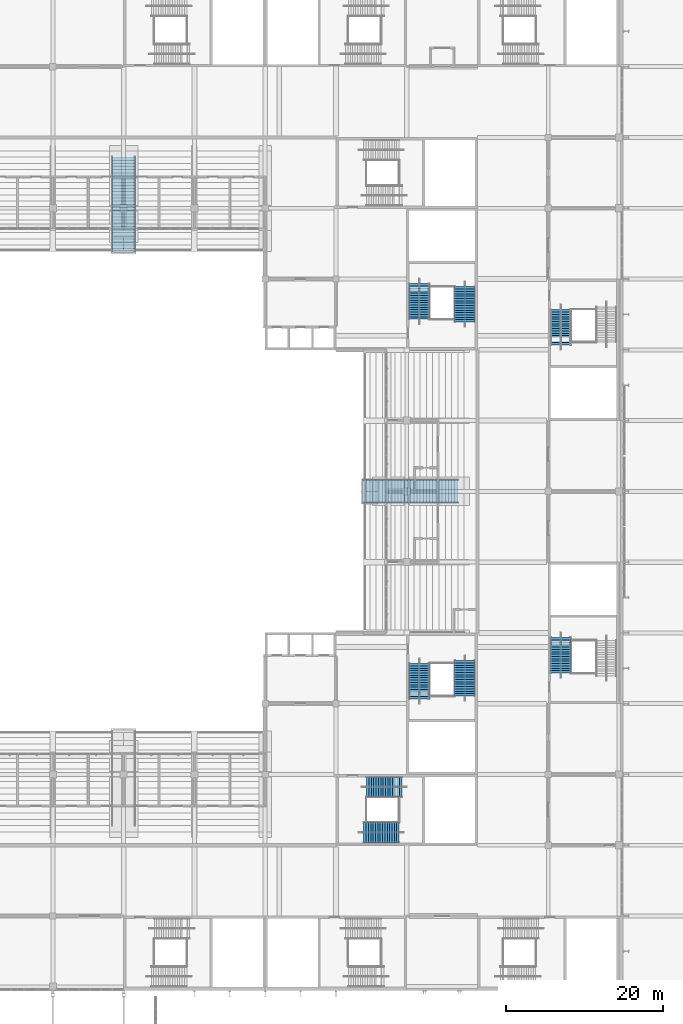
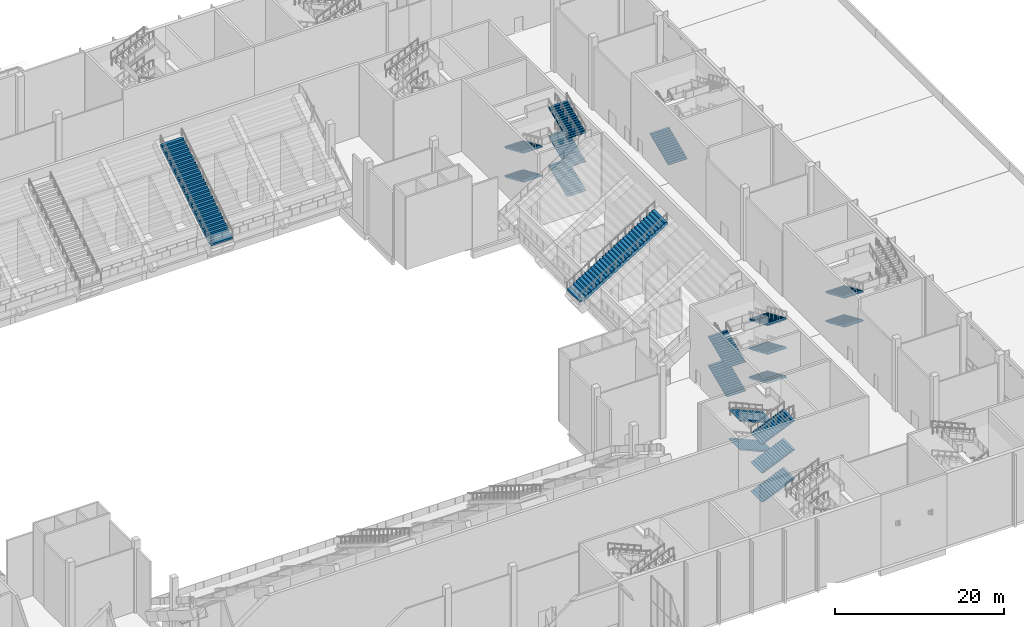
# One storey, part 99 of 182: 20 stair flights, 7 elements without a shape of their own.
"""IFC4 building model written with IfcOpenShell, lengths in metres."""

import ifcopenshell
import ifcopenshell.guid

model = None  # the IFC model being written
_history = None  # IfcOwnerHistory: only IFC2X3 demands one
_inside = {}  # id of a spatial element -> (the spatial element, [elements in it])
_under = {}  # id of a project, library or spatial element -> (it, [spatial elements below it])
_declared = {}  # id of a project -> (the project, [libraries it declares])
_typed = {}  # id of a type object -> (the type object, [elements of that type])
_made_of = {}  # id of a material, layer set ... -> (it, [elements and type objects made of it])


def new_model(schema):
    """Start an empty IFC model of exactly this schema.

    Asked for "IFC4X3", IfcOpenShell would pick the latest addendum, in which some entities
    have other attributes; the version numbers below select the first issue.
    IFC2X3 requires an IfcOwnerHistory on every rooted entity: one is made here for all.
    """
    global model, _history
    if schema == "IFC4X3":
        model = ifcopenshell.file(schema_version=(4, 3, 0, 0))
    else:
        model = ifcopenshell.file(schema=schema)
    _inside.clear()
    _under.clear()
    _declared.clear()
    _typed.clear()
    _made_of.clear()
    _history = None
    if model.schema == "IFC2X3":
        org = make("IfcOrganization", Name="unknown")
        user = make(
            "IfcPersonAndOrganization",
            ThePerson=make("IfcPerson", FamilyName="unknown"),
            TheOrganization=org,
        )
        app = make(
            "IfcApplication",
            ApplicationDeveloper=org,
            Version="unknown",
            ApplicationFullName="unknown",
            ApplicationIdentifier="unknown",
        )
        _history = make(
            "IfcOwnerHistory",
            OwningUser=user,
            OwningApplication=app,
            ChangeAction="ADDED",
            CreationDate=0,
        )
    return model


def make(cls, **values):
    """One entity of the class cls with the attributes given. An attribute that is None is left unset."""
    return model.create_entity(
        cls, **{name: value for name, value in values.items() if value is not None}
    )


def rooted(cls, **values):
    """An entity with a GlobalId (a new one), such as an element, a storey or a relation."""
    return make(cls, GlobalId=ifcopenshell.guid.new(), OwnerHistory=_history, **values)


def si_unit(unit_type, name, prefix=None):
    """IfcSIUnit, for example si_unit("LENGTHUNIT", "METRE", prefix="MILLI")."""
    return make("IfcSIUnit", UnitType=unit_type, Prefix=prefix, Name=name)


def assignment(units):
    """IfcUnitAssignment: the units of a project."""
    return None if units is None else make("IfcUnitAssignment", Units=units)


def point(xyz):
    """IfcCartesianPoint."""
    return None if xyz is None else make("IfcCartesianPoint", Coordinates=xyz)


def direction(xyz):
    """IfcDirection."""
    return None if xyz is None else make("IfcDirection", DirectionRatios=xyz)


def frame(location, z_axis=None, x_axis=None):
    """IfcAxis2Placement3D, a coordinate frame: its origin and axes. An axis left out is left unset."""
    return make(
        "IfcAxis2Placement3D",
        Location=point(location),
        Axis=direction(z_axis),
        RefDirection=direction(x_axis),
    )


def origin():
    """The frame at (0, 0, 0) with its axes left unset."""
    return frame((0.0, 0.0, 0.0))


def place(relative_to, where):
    """IfcLocalPlacement: puts the frame where relative to a parent placement (None: the world)."""
    return make(
        "IfcLocalPlacement", PlacementRelTo=relative_to, RelativePlacement=where
    )


def context(
    kind, dimensions, precision=None, world=None, true_north=None, identifier=None
):
    """IfcGeometricRepresentationContext, for example the 3D "Model" context."""
    return make(
        "IfcGeometricRepresentationContext",
        ContextIdentifier=identifier,
        ContextType=kind,
        CoordinateSpaceDimension=dimensions,
        Precision=precision,
        WorldCoordinateSystem=world,
        TrueNorth=true_north,
    )


def subcontext(parent, identifier, kind, view, scale=None):
    """IfcGeometricRepresentationSubContext, for example "Body" below "Model"."""
    return make(
        "IfcGeometricRepresentationSubContext",
        ContextIdentifier=identifier,
        ContextType=kind,
        ParentContext=parent,
        TargetScale=scale,
        TargetView=view,
    )


def project(units=None, contexts=None):
    """IfcProject with its units and contexts."""
    return rooted(
        "IfcProject",
        Name="project",
        RepresentationContexts=contexts,
        UnitsInContext=assignment(units),
    )


def spatial(cls, under=None, at=None, **own):
    """A site, building, storey or space (cls), placed at a placement, below another one or the project."""
    s = rooted(cls, ObjectPlacement=at, **own)
    if under is not None:
        _under.setdefault(under.id(), (under, []))[1].append(s)
    return s


def polyline(points):
    """IfcPolyline through the points."""
    return make("IfcPolyline", Points=[point(p) for p in points])


def outline(outer, holes=None, kind="AREA"):
    """IfcArbitraryClosedProfileDef: a profile drawn as a closed curve; with holes, ...WithVoids."""
    if holes is None:
        return make("IfcArbitraryClosedProfileDef", ProfileType=kind, OuterCurve=outer)
    return make(
        "IfcArbitraryProfileDefWithVoids",
        ProfileType=kind,
        OuterCurve=outer,
        InnerCurves=holes,
    )


def extrude(swept, where, along, depth):
    """IfcExtrudedAreaSolid: the profile swept, set in the frame where, extruded along a direction by depth."""
    return make(
        "IfcExtrudedAreaSolid",
        SweptArea=swept,
        Position=where,
        ExtrudedDirection=direction(along),
        Depth=depth,
    )


def shape(context_of_items, identifier, shape_type, items):
    """IfcShapeRepresentation: the items that make up one representation, for example the "Body"."""
    return make(
        "IfcShapeRepresentation",
        ContextOfItems=context_of_items,
        RepresentationIdentifier=identifier,
        RepresentationType=shape_type,
        Items=items,
    )


def material(Name=None, Category=None):
    """IfcMaterial."""
    return make("IfcMaterial", Name=Name, Category=Category)


def made_of(thing, what):
    """Note that an element or type object is made of a material, layer set ...; save() writes the relation."""
    if what is not None:
        _made_of.setdefault(what.id(), (what, []))[1].append(thing)
    return thing


def type_object(cls, material=None, **own):
    """A type object (cls), such as IfcWallType, which elements share."""
    return made_of(rooted(cls, **own), material)


def element(
    cls,
    number,
    at=None,
    inside=None,
    cuts=None,
    type_object=None,
    material=None,
    context=None,
    identifier="Body",
    shape_type=None,
    held_by="IfcProductDefinitionShape",
    body=None,
    shapes=None,
    **own,
):
    """One element of the class cls, such as IfcWall. Its Tag is "e" and its number.

    at: its placement. inside: the storey or other place that contains it. cuts: it is an
    opening in that element (IfcRelVoidsElement). A single representation is given by context,
    identifier, shape_type and body (its items); several are given by shapes. held_by: the class
    of the entity that holds the representations. save() writes the other relations.
    """
    e = rooted(cls, Tag="e%d" % number, ObjectPlacement=at, **own)
    if body is not None:
        shapes = [shape(context, identifier, shape_type, body)]
    if shapes is not None:
        e.Representation = make(held_by, Representations=shapes)
    if inside is not None:
        _inside.setdefault(inside.id(), (inside, []))[1].append(e)
    if cuts is not None:
        rooted(
            "IfcRelVoidsElement", RelatingBuildingElement=cuts, RelatedOpeningElement=e
        )
    if type_object is not None:
        _typed.setdefault(type_object.id(), (type_object, []))[1].append(e)
    return made_of(e, material)


def aggregate(whole, parts):
    """IfcRelAggregates: a whole, such as a stair, and the parts it consists of."""
    return rooted("IfcRelAggregates", RelatingObject=whole, RelatedObjects=parts)


def save(model, path):
    """Write the relations noted so far, then the file.

    IfcRelAggregates (storeys below a building ...), IfcRelContainedInSpatialStructure (elements
    in a storey), IfcRelDefinesByType, IfcRelAssociatesMaterial and IfcRelDeclares: one each for
    every whole, place, type object, material and project.
    """
    for whole, parts in _under.values():
        aggregate(whole, parts)
    for where, things in _inside.values():
        rooted(
            "IfcRelContainedInSpatialStructure",
            RelatedElements=things,
            RelatingStructure=where,
        )
    for kind, things in _typed.values():
        rooted("IfcRelDefinesByType", RelatedObjects=things, RelatingType=kind)
    for what, things in _made_of.values():
        rooted("IfcRelAssociatesMaterial", RelatedObjects=things, RelatingMaterial=what)
    for by, libraries in _declared.values():
        rooted("IfcRelDeclares", RelatingContext=by, RelatedDefinitions=libraries)
    model.write(path)


model = new_model("IFC4")

# Units and contexts
model_context = context("Model", 3, precision=1e-05, world=origin(), true_north=direction((0.0, 1.0)))
body_context = subcontext(model_context, "Body", "Model", "MODEL_VIEW")
ifc_project = project(units=[si_unit("LENGTHUNIT", "METRE"), si_unit("AREAUNIT", "SQUARE_METRE"), si_unit("VOLUMEUNIT", "CUBIC_METRE"), si_unit("PLANEANGLEUNIT", "RADIAN"), si_unit("MASSUNIT", "GRAM", prefix="KILO")], contexts=[model_context])

# Site, building, storey
site_placement = place(None, origin())
site = spatial("IfcSite", under=ifc_project, at=site_placement, CompositionType="ELEMENT")
building_placement = place(site_placement, origin())
building = spatial("IfcBuilding", under=site, at=building_placement, Name="Silverbay Arena", CompositionType="ELEMENT")
storey_placement = place(building_placement, frame((0.0, 0.0, 11.5)))
storey = spatial("IfcBuildingStorey", under=building, at=storey_placement, Name="L02", CompositionType="ELEMENT", Elevation=11.5)

# Stair, stair flights
ifc_material_1 = material(Name="Concrete Grade C45", Category="concrete")
stair_type_1 = type_object("IfcStairType", Name="Stair 2600 wide 80 risers 131.2 x 300", PredefinedType="HALF_TURN_STAIR", material=ifc_material_1)
stair_1_placement = place(storey_placement, origin())
stair_1 = element("IfcStair", 1, at=stair_1_placement, inside=storey, type_object=stair_type_1, Name="Stair ST-E1 L02 to L03", PredefinedType="HALF_TURN_STAIR")
ifc_material_2 = material(Name="Concrete Grade C45", Category="concrete")
stair_flight_type_1 = type_object("IfcStairFlightType", Name="Stair flight 2600 wide 16 risers 131.2 x 300", PredefinedType="STRAIGHT", material=ifc_material_2)
stair_flight_1_placement = place(storey_placement, frame((199.60009765625, 62.39990234375, 2.10009765625), z_axis=(0.0, 0.0, 1.0), x_axis=(0.0, -1.0, 0.0)))
stair_flight_1 = element("IfcStairFlight", 2, at=stair_flight_1_placement, type_object=stair_flight_type_1, Name="Stair ST-E1 L02 to L03 flight 2", NumberOfRisers=16, NumberOfTreads=15, PredefinedType="STRAIGHT", RiserHeight=0.13125, TreadLength=0.3, context=body_context, shape_type="SweptSolid", body=[
    extrude(outline(polyline([(0.0, 0.0), (0.0, 0.13134765625), (0.300048828125, 0.13134765625), (0.300048828125, 0.262451171875), (0.60009765625, 0.262451171875), (0.60009765625, 0.393798828125), (0.89990234375, 0.393798828125), (0.89990234375, 0.52490234375), (1.199951171875, 0.52490234375), (1.199951171875, 0.65625), (1.5, 0.65625), (1.5, 0.78759765625), (1.800048828125, 0.78759765625), (1.800048828125, 0.918701171875), (2.10009765625, 0.918701171875), (2.10009765625, 1.050048828125), (2.39990234375, 1.050048828125), (2.39990234375, 1.18115234375), (2.699951171875, 1.18115234375), (2.699951171875, 1.3125), (3.0, 1.3125), (3.0, 1.44384765625), (3.300048828125, 1.44384765625), (3.300048828125, 1.574951171875), (3.60009765625, 1.574951171875), (3.60009765625, 1.706298828125), (3.89990234375, 1.706298828125), (3.89990234375, 1.83740234375), (4.199951171875, 1.83740234375), (4.199951171875, 1.96875), (4.5, 1.96875), (4.5, 1.80517578125), (0.3740234375, 0.0), (0.0, 0.0)])), frame((0.0, 1.300048828125, 0.0), z_axis=(0.0, -1.0, 0.0), x_axis=(1.0, 0.0, 0.0)), (0.0, 0.0, 1.0), 2.60009765625),
])
stair_flight_2_placement = place(storey_placement, frame((199.60009765625, 62.39990234375, 6.300048828125), z_axis=(0.0, 0.0, 1.0), x_axis=(0.0, -1.0, 0.0)))
stair_flight_2 = element("IfcStairFlight", 3, at=stair_flight_2_placement, type_object=stair_flight_type_1, Name="Stair ST-E1 L02 to L03 flight 4", NumberOfRisers=16, NumberOfTreads=15, PredefinedType="STRAIGHT", RiserHeight=0.13125, TreadLength=0.3, context=body_context, shape_type="SweptSolid", body=[
    extrude(outline(polyline([(0.0, 0.0), (0.0, 0.13134765625), (0.300048828125, 0.13134765625), (0.300048828125, 0.262451171875), (0.60009765625, 0.262451171875), (0.60009765625, 0.393798828125), (0.89990234375, 0.393798828125), (0.89990234375, 0.52490234375), (1.199951171875, 0.52490234375), (1.199951171875, 0.65625), (1.5, 0.65625), (1.5, 0.78759765625), (1.800048828125, 0.78759765625), (1.800048828125, 0.918701171875), (2.10009765625, 0.918701171875), (2.10009765625, 1.050048828125), (2.39990234375, 1.050048828125), (2.39990234375, 1.18115234375), (2.699951171875, 1.18115234375), (2.699951171875, 1.3125), (3.0, 1.3125), (3.0, 1.44384765625), (3.300048828125, 1.44384765625), (3.300048828125, 1.574951171875), (3.60009765625, 1.574951171875), (3.60009765625, 1.706298828125), (3.89990234375, 1.706298828125), (3.89990234375, 1.83740234375), (4.199951171875, 1.83740234375), (4.199951171875, 1.96875), (4.5, 1.96875), (4.5, 1.80517578125), (0.3740234375, 0.0), (0.0, 0.0)])), frame((0.0, 1.300048828125, 0.0), z_axis=(0.0, -1.0, 0.0), x_axis=(1.0, 0.0, 0.0)), (0.0, 0.0, 1.0), 2.60009765625),
])
aggregate(stair_1, [stair_flight_1, stair_flight_2])

# Stair, stair flight
stair_2_placement = place(storey_placement, origin())
stair_2 = element("IfcStair", 4, at=stair_2_placement, inside=storey, type_object=stair_type_1, Name="Stair ST-E2 L02 to L03", PredefinedType="HALF_TURN_STAIR")
stair_flight_3_placement = place(storey_placement, frame((199.60009765625, 99.60009765625, 2.10009765625), z_axis=(0.0, 0.0, 1.0), x_axis=(0.0, 1.0, 0.0)))
stair_flight_3 = element("IfcStairFlight", 5, at=stair_flight_3_placement, type_object=stair_flight_type_1, Name="Stair ST-E2 L02 to L03 flight 2", NumberOfRisers=16, NumberOfTreads=15, PredefinedType="STRAIGHT", RiserHeight=0.13125, TreadLength=0.3, context=body_context, shape_type="SweptSolid", body=[
    extrude(outline(polyline([(0.0, 0.0), (0.0, 0.13134765625), (0.300048828125, 0.13134765625), (0.300048828125, 0.262451171875), (0.60009765625, 0.262451171875), (0.60009765625, 0.393798828125), (0.89990234375, 0.393798828125), (0.89990234375, 0.52490234375), (1.199951171875, 0.52490234375), (1.199951171875, 0.65625), (1.5, 0.65625), (1.5, 0.78759765625), (1.800048828125, 0.78759765625), (1.800048828125, 0.918701171875), (2.10009765625, 0.918701171875), (2.10009765625, 1.050048828125), (2.39990234375, 1.050048828125), (2.39990234375, 1.18115234375), (2.699951171875, 1.18115234375), (2.699951171875, 1.3125), (3.0, 1.3125), (3.0, 1.44384765625), (3.300048828125, 1.44384765625), (3.300048828125, 1.574951171875), (3.60009765625, 1.574951171875), (3.60009765625, 1.706298828125), (3.89990234375, 1.706298828125), (3.89990234375, 1.83740234375), (4.199951171875, 1.83740234375), (4.199951171875, 1.96875), (4.5, 1.96875), (4.5, 1.80517578125), (0.3740234375, 0.0), (0.0, 0.0)])), frame((0.0, 1.300048828125, 0.0), z_axis=(0.0, -1.0, 0.0), x_axis=(1.0, 0.0, 0.0)), (0.0, 0.0, 1.0), 2.60009765625),
])
aggregate(stair_2, [stair_flight_3])

# Stair, stair flights
stair_3_placement = place(storey_placement, origin())
stair_3 = element("IfcStair", 6, at=stair_3_placement, inside=storey, type_object=stair_type_1, Name="Stair ST-SE1 L02 to L03", PredefinedType="HALF_TURN_STAIR")
stair_flight_4_placement = place(storey_placement, frame((174.52587890625, 37.60009765625, 0.0), z_axis=(0.0, 0.0, 1.0), x_axis=(1.0, 0.0, 0.0)))
stair_flight_4 = element("IfcStairFlight", 7, at=stair_flight_4_placement, type_object=stair_flight_type_1, Name="Stair ST-SE1 L02 to L03 flight 1", NumberOfRisers=16, NumberOfTreads=15, PredefinedType="STRAIGHT", RiserHeight=0.13125, TreadLength=0.3, context=body_context, shape_type="SweptSolid", body=[
    extrude(outline(polyline([(0.0, 0.0), (0.0, 0.13134765625), (0.300048828125, 0.13134765625), (0.300048828125, 0.262451171875), (0.60009765625, 0.262451171875), (0.60009765625, 0.393798828125), (0.89990234375, 0.393798828125), (0.89990234375, 0.52490234375), (1.199951171875, 0.52490234375), (1.199951171875, 0.65625), (1.5, 0.65625), (1.5, 0.78759765625), (1.800048828125, 0.78759765625), (1.800048828125, 0.918701171875), (2.10009765625, 0.918701171875), (2.10009765625, 1.050048828125), (2.39990234375, 1.050048828125), (2.39990234375, 1.18115234375), (2.699951171875, 1.18115234375), (2.699951171875, 1.3125), (3.0, 1.3125), (3.0, 1.44384765625), (3.300048828125, 1.44384765625), (3.300048828125, 1.574951171875), (3.60009765625, 1.574951171875), (3.60009765625, 1.706298828125), (3.89990234375, 1.706298828125), (3.89990234375, 1.83740234375), (4.199951171875, 1.83740234375), (4.199951171875, 1.96875), (4.5, 1.96875), (4.5, 1.80517578125), (0.3740234375, 0.0), (0.0, 0.0)])), frame((0.0, 1.300048828125, 0.0), z_axis=(0.0, -1.0, 0.0), x_axis=(1.0, 0.0, 0.0)), (0.0, 0.0, 1.0), 2.60009765625),
])
stair_flight_5_placement = place(storey_placement, frame((179.39990234375, 43.39990234375, 2.10009765625), z_axis=(0.0, 0.0, 1.0), x_axis=(-1.0, 0.0, 0.0)))
stair_flight_5 = element("IfcStairFlight", 8, at=stair_flight_5_placement, type_object=stair_flight_type_1, Name="Stair ST-SE1 L02 to L03 flight 2", NumberOfRisers=16, NumberOfTreads=15, PredefinedType="STRAIGHT", RiserHeight=0.13125, TreadLength=0.3, context=body_context, shape_type="SweptSolid", body=[
    extrude(outline(polyline([(0.0, 0.0), (0.0, 0.13134765625), (0.300048828125, 0.13134765625), (0.300048828125, 0.262451171875), (0.60009765625, 0.262451171875), (0.60009765625, 0.393798828125), (0.89990234375, 0.393798828125), (0.89990234375, 0.52490234375), (1.199951171875, 0.52490234375), (1.199951171875, 0.65625), (1.5, 0.65625), (1.5, 0.78759765625), (1.800048828125, 0.78759765625), (1.800048828125, 0.918701171875), (2.10009765625, 0.918701171875), (2.10009765625, 1.050048828125), (2.39990234375, 1.050048828125), (2.39990234375, 1.18115234375), (2.699951171875, 1.18115234375), (2.699951171875, 1.3125), (3.0, 1.3125), (3.0, 1.44384765625), (3.300048828125, 1.44384765625), (3.300048828125, 1.574951171875), (3.60009765625, 1.574951171875), (3.60009765625, 1.706298828125), (3.89990234375, 1.706298828125), (3.89990234375, 1.83740234375), (4.199951171875, 1.83740234375), (4.199951171875, 1.96875), (4.5, 1.96875), (4.5, 1.80517578125), (0.3740234375, 0.0), (0.0, 0.0)])), frame((0.0, 1.300048828125, 0.0), z_axis=(0.0, -1.0, 0.0), x_axis=(1.0, 0.0, 0.0)), (0.0, 0.0, 1.0), 2.60009765625),
])
stair_flight_6_placement = place(storey_placement, frame((174.52587890625, 37.60009765625, 4.199951171875), z_axis=(0.0, 0.0, 1.0), x_axis=(1.0, 0.0, 0.0)))
stair_flight_6 = element("IfcStairFlight", 9, at=stair_flight_6_placement, type_object=stair_flight_type_1, Name="Stair ST-SE1 L02 to L03 flight 3", NumberOfRisers=16, NumberOfTreads=15, PredefinedType="STRAIGHT", RiserHeight=0.13125, TreadLength=0.3, context=body_context, shape_type="SweptSolid", body=[
    extrude(outline(polyline([(0.0, 0.0), (0.0, 0.13134765625), (0.300048828125, 0.13134765625), (0.300048828125, 0.262451171875), (0.60009765625, 0.262451171875), (0.60009765625, 0.393798828125), (0.89990234375, 0.393798828125), (0.89990234375, 0.52490234375), (1.199951171875, 0.52490234375), (1.199951171875, 0.65625), (1.5, 0.65625), (1.5, 0.78759765625), (1.800048828125, 0.78759765625), (1.800048828125, 0.918701171875), (2.10009765625, 0.918701171875), (2.10009765625, 1.050048828125), (2.39990234375, 1.050048828125), (2.39990234375, 1.18115234375), (2.699951171875, 1.18115234375), (2.699951171875, 1.3125), (3.0, 1.3125), (3.0, 1.44384765625), (3.300048828125, 1.44384765625), (3.300048828125, 1.574951171875), (3.60009765625, 1.574951171875), (3.60009765625, 1.706298828125), (3.89990234375, 1.706298828125), (3.89990234375, 1.83740234375), (4.199951171875, 1.83740234375), (4.199951171875, 1.96875), (4.5, 1.96875), (4.5, 1.80517578125), (0.3740234375, 0.0), (0.0, 0.0)])), frame((0.0, 1.300048828125, 0.0), z_axis=(0.0, -1.0, 0.0), x_axis=(1.0, 0.0, 0.0)), (0.0, 0.0, 1.0), 2.60009765625),
])
stair_flight_7_placement = place(storey_placement, frame((179.39990234375, 43.39990234375, 6.300048828125), z_axis=(0.0, 0.0, 1.0), x_axis=(-1.0, 0.0, 0.0)))
stair_flight_7 = element("IfcStairFlight", 10, at=stair_flight_7_placement, type_object=stair_flight_type_1, Name="Stair ST-SE1 L02 to L03 flight 4", NumberOfRisers=16, NumberOfTreads=15, PredefinedType="STRAIGHT", RiserHeight=0.13125, TreadLength=0.3, context=body_context, shape_type="SweptSolid", body=[
    extrude(outline(polyline([(0.0, 0.0), (0.0, 0.13134765625), (0.300048828125, 0.13134765625), (0.300048828125, 0.262451171875), (0.60009765625, 0.262451171875), (0.60009765625, 0.393798828125), (0.89990234375, 0.393798828125), (0.89990234375, 0.52490234375), (1.199951171875, 0.52490234375), (1.199951171875, 0.65625), (1.5, 0.65625), (1.5, 0.78759765625), (1.800048828125, 0.78759765625), (1.800048828125, 0.918701171875), (2.10009765625, 0.918701171875), (2.10009765625, 1.050048828125), (2.39990234375, 1.050048828125), (2.39990234375, 1.18115234375), (2.699951171875, 1.18115234375), (2.699951171875, 1.3125), (3.0, 1.3125), (3.0, 1.44384765625), (3.300048828125, 1.44384765625), (3.300048828125, 1.574951171875), (3.60009765625, 1.574951171875), (3.60009765625, 1.706298828125), (3.89990234375, 1.706298828125), (3.89990234375, 1.83740234375), (4.199951171875, 1.83740234375), (4.199951171875, 1.96875), (4.5, 1.96875), (4.5, 1.80517578125), (0.3740234375, 0.0), (0.0, 0.0)])), frame((0.0, 1.300048828125, 0.0), z_axis=(0.0, -1.0, 0.0), x_axis=(1.0, 0.0, 0.0)), (0.0, 0.0, 1.0), 2.60009765625),
])
stair_flight_8_placement = place(storey_placement, frame((174.52587890625, 37.60009765625, 8.39990234375), z_axis=(0.0, 0.0, 1.0), x_axis=(1.0, 0.0, 0.0)))
stair_flight_8 = element("IfcStairFlight", 11, at=stair_flight_8_placement, type_object=stair_flight_type_1, Name="Stair ST-SE1 L02 to L03 flight 5", NumberOfRisers=16, NumberOfTreads=15, PredefinedType="STRAIGHT", RiserHeight=0.13125, TreadLength=0.3, context=body_context, shape_type="SweptSolid", body=[
    extrude(outline(polyline([(0.0, 0.0), (0.0, 0.13134765625), (0.300048828125, 0.13134765625), (0.300048828125, 0.262451171875), (0.60009765625, 0.262451171875), (0.60009765625, 0.393798828125), (0.89990234375, 0.393798828125), (0.89990234375, 0.52490234375), (1.199951171875, 0.52490234375), (1.199951171875, 0.65625), (1.5, 0.65625), (1.5, 0.78759765625), (1.800048828125, 0.78759765625), (1.800048828125, 0.918701171875), (2.10009765625, 0.918701171875), (2.10009765625, 1.050048828125), (2.39990234375, 1.050048828125), (2.39990234375, 1.18115234375), (2.699951171875, 1.18115234375), (2.699951171875, 1.3125), (3.0, 1.3125), (3.0, 1.44384765625), (3.300048828125, 1.44384765625), (3.300048828125, 1.574951171875), (3.60009765625, 1.574951171875), (3.60009765625, 1.706298828125), (3.89990234375, 1.706298828125), (3.89990234375, 1.83740234375), (4.199951171875, 1.83740234375), (4.199951171875, 1.96875), (4.5, 1.96875), (4.5, 1.80517578125), (0.3740234375, 0.0), (0.0, 0.0)])), frame((0.0, 1.300048828125, 0.0), z_axis=(0.0, -1.0, 0.0), x_axis=(1.0, 0.0, 0.0)), (0.0, 0.0, 1.0), 2.60009765625),
])
aggregate(stair_3, [stair_flight_4, stair_flight_5, stair_flight_6, stair_flight_7, stair_flight_8])

stair_4_placement = place(storey_placement, origin())
stair_4 = element("IfcStair", 12, at=stair_4_placement, inside=storey, type_object=stair_type_1, Name="Stair ST-SE2 L02 to L03", PredefinedType="HALF_TURN_STAIR")
stair_flight_9_placement = place(storey_placement, frame((187.39990234375, 59.47412109375, 0.0), z_axis=(0.0, 0.0, 1.0), x_axis=(0.0, -1.0, 0.0)))
stair_flight_9 = element("IfcStairFlight", 13, at=stair_flight_9_placement, type_object=stair_flight_type_1, Name="Stair ST-SE2 L02 to L03 flight 1", NumberOfRisers=16, NumberOfTreads=15, PredefinedType="STRAIGHT", RiserHeight=0.13125, TreadLength=0.3, context=body_context, shape_type="SweptSolid", body=[
    extrude(outline(polyline([(0.0, 0.0), (0.0, 0.13134765625), (0.300048828125, 0.13134765625), (0.300048828125, 0.262451171875), (0.60009765625, 0.262451171875), (0.60009765625, 0.393798828125), (0.89990234375, 0.393798828125), (0.89990234375, 0.52490234375), (1.199951171875, 0.52490234375), (1.199951171875, 0.65625), (1.5, 0.65625), (1.5, 0.78759765625), (1.800048828125, 0.78759765625), (1.800048828125, 0.918701171875), (2.10009765625, 0.918701171875), (2.10009765625, 1.050048828125), (2.39990234375, 1.050048828125), (2.39990234375, 1.18115234375), (2.699951171875, 1.18115234375), (2.699951171875, 1.3125), (3.0, 1.3125), (3.0, 1.44384765625), (3.300048828125, 1.44384765625), (3.300048828125, 1.574951171875), (3.60009765625, 1.574951171875), (3.60009765625, 1.706298828125), (3.89990234375, 1.706298828125), (3.89990234375, 1.83740234375), (4.199951171875, 1.83740234375), (4.199951171875, 1.96875), (4.5, 1.96875), (4.5, 1.80517578125), (0.3740234375, 0.0), (0.0, 0.0)])), frame((0.0, 1.300048828125, 0.0), z_axis=(0.0, -1.0, 0.0), x_axis=(1.0, 0.0, 0.0)), (0.0, 0.0, 1.0), 2.60009765625),
])
stair_flight_10_placement = place(storey_placement, frame((181.60009765625, 54.60009765625, 2.10009765625), z_axis=(0.0, 0.0, 1.0), x_axis=(0.0, 1.0, 0.0)))
stair_flight_10 = element("IfcStairFlight", 14, at=stair_flight_10_placement, type_object=stair_flight_type_1, Name="Stair ST-SE2 L02 to L03 flight 2", NumberOfRisers=16, NumberOfTreads=15, PredefinedType="STRAIGHT", RiserHeight=0.13125, TreadLength=0.3, context=body_context, shape_type="SweptSolid", body=[
    extrude(outline(polyline([(0.0, 0.0), (0.0, 0.13134765625), (0.300048828125, 0.13134765625), (0.300048828125, 0.262451171875), (0.60009765625, 0.262451171875), (0.60009765625, 0.393798828125), (0.89990234375, 0.393798828125), (0.89990234375, 0.52490234375), (1.199951171875, 0.52490234375), (1.199951171875, 0.65625), (1.5, 0.65625), (1.5, 0.78759765625), (1.800048828125, 0.78759765625), (1.800048828125, 0.918701171875), (2.10009765625, 0.918701171875), (2.10009765625, 1.050048828125), (2.39990234375, 1.050048828125), (2.39990234375, 1.18115234375), (2.699951171875, 1.18115234375), (2.699951171875, 1.3125), (3.0, 1.3125), (3.0, 1.44384765625), (3.300048828125, 1.44384765625), (3.300048828125, 1.574951171875), (3.60009765625, 1.574951171875), (3.60009765625, 1.706298828125), (3.89990234375, 1.706298828125), (3.89990234375, 1.83740234375), (4.199951171875, 1.83740234375), (4.199951171875, 1.96875), (4.5, 1.96875), (4.5, 1.80517578125), (0.3740234375, 0.0), (0.0, 0.0)])), frame((0.0, 1.300048828125, 0.0), z_axis=(0.0, -1.0, 0.0), x_axis=(1.0, 0.0, 0.0)), (0.0, 0.0, 1.0), 2.60009765625),
])
stair_flight_11_placement = place(storey_placement, frame((187.39990234375, 59.47412109375, 4.199951171875), z_axis=(0.0, 0.0, 1.0), x_axis=(0.0, -1.0, 0.0)))
stair_flight_11 = element("IfcStairFlight", 15, at=stair_flight_11_placement, type_object=stair_flight_type_1, Name="Stair ST-SE2 L02 to L03 flight 3", NumberOfRisers=16, NumberOfTreads=15, PredefinedType="STRAIGHT", RiserHeight=0.13125, TreadLength=0.3, context=body_context, shape_type="SweptSolid", body=[
    extrude(outline(polyline([(0.0, 0.0), (0.0, 0.13134765625), (0.300048828125, 0.13134765625), (0.300048828125, 0.262451171875), (0.60009765625, 0.262451171875), (0.60009765625, 0.393798828125), (0.89990234375, 0.393798828125), (0.89990234375, 0.52490234375), (1.199951171875, 0.52490234375), (1.199951171875, 0.65625), (1.5, 0.65625), (1.5, 0.78759765625), (1.800048828125, 0.78759765625), (1.800048828125, 0.918701171875), (2.10009765625, 0.918701171875), (2.10009765625, 1.050048828125), (2.39990234375, 1.050048828125), (2.39990234375, 1.18115234375), (2.699951171875, 1.18115234375), (2.699951171875, 1.3125), (3.0, 1.3125), (3.0, 1.44384765625), (3.300048828125, 1.44384765625), (3.300048828125, 1.574951171875), (3.60009765625, 1.574951171875), (3.60009765625, 1.706298828125), (3.89990234375, 1.706298828125), (3.89990234375, 1.83740234375), (4.199951171875, 1.83740234375), (4.199951171875, 1.96875), (4.5, 1.96875), (4.5, 1.80517578125), (0.3740234375, 0.0), (0.0, 0.0)])), frame((0.0, 1.300048828125, 0.0), z_axis=(0.0, -1.0, 0.0), x_axis=(1.0, 0.0, 0.0)), (0.0, 0.0, 1.0), 2.60009765625),
])
stair_flight_12_placement = place(storey_placement, frame((181.60009765625, 54.60009765625, 6.300048828125), z_axis=(0.0, 0.0, 1.0), x_axis=(0.0, 1.0, 0.0)))
stair_flight_12 = element("IfcStairFlight", 16, at=stair_flight_12_placement, type_object=stair_flight_type_1, Name="Stair ST-SE2 L02 to L03 flight 4", NumberOfRisers=16, NumberOfTreads=15, PredefinedType="STRAIGHT", RiserHeight=0.13125, TreadLength=0.3, context=body_context, shape_type="SweptSolid", body=[
    extrude(outline(polyline([(0.0, 0.0), (0.0, 0.13134765625), (0.300048828125, 0.13134765625), (0.300048828125, 0.262451171875), (0.60009765625, 0.262451171875), (0.60009765625, 0.393798828125), (0.89990234375, 0.393798828125), (0.89990234375, 0.52490234375), (1.199951171875, 0.52490234375), (1.199951171875, 0.65625), (1.5, 0.65625), (1.5, 0.78759765625), (1.800048828125, 0.78759765625), (1.800048828125, 0.918701171875), (2.10009765625, 0.918701171875), (2.10009765625, 1.050048828125), (2.39990234375, 1.050048828125), (2.39990234375, 1.18115234375), (2.699951171875, 1.18115234375), (2.699951171875, 1.3125), (3.0, 1.3125), (3.0, 1.44384765625), (3.300048828125, 1.44384765625), (3.300048828125, 1.574951171875), (3.60009765625, 1.574951171875), (3.60009765625, 1.706298828125), (3.89990234375, 1.706298828125), (3.89990234375, 1.83740234375), (4.199951171875, 1.83740234375), (4.199951171875, 1.96875), (4.5, 1.96875), (4.5, 1.80517578125), (0.3740234375, 0.0), (0.0, 0.0)])), frame((0.0, 1.300048828125, 0.0), z_axis=(0.0, -1.0, 0.0), x_axis=(1.0, 0.0, 0.0)), (0.0, 0.0, 1.0), 2.60009765625),
])
stair_flight_13_placement = place(storey_placement, frame((187.39990234375, 59.47412109375, 8.39990234375), z_axis=(0.0, 0.0, 1.0), x_axis=(0.0, -1.0, 0.0)))
stair_flight_13 = element("IfcStairFlight", 17, at=stair_flight_13_placement, type_object=stair_flight_type_1, Name="Stair ST-SE2 L02 to L03 flight 5", NumberOfRisers=16, NumberOfTreads=15, PredefinedType="STRAIGHT", RiserHeight=0.13125, TreadLength=0.3, context=body_context, shape_type="SweptSolid", body=[
    extrude(outline(polyline([(0.0, 0.0), (0.0, 0.13134765625), (0.300048828125, 0.13134765625), (0.300048828125, 0.262451171875), (0.60009765625, 0.262451171875), (0.60009765625, 0.393798828125), (0.89990234375, 0.393798828125), (0.89990234375, 0.52490234375), (1.199951171875, 0.52490234375), (1.199951171875, 0.65625), (1.5, 0.65625), (1.5, 0.78759765625), (1.800048828125, 0.78759765625), (1.800048828125, 0.918701171875), (2.10009765625, 0.918701171875), (2.10009765625, 1.050048828125), (2.39990234375, 1.050048828125), (2.39990234375, 1.18115234375), (2.699951171875, 1.18115234375), (2.699951171875, 1.3125), (3.0, 1.3125), (3.0, 1.44384765625), (3.300048828125, 1.44384765625), (3.300048828125, 1.574951171875), (3.60009765625, 1.574951171875), (3.60009765625, 1.706298828125), (3.89990234375, 1.706298828125), (3.89990234375, 1.83740234375), (4.199951171875, 1.83740234375), (4.199951171875, 1.96875), (4.5, 1.96875), (4.5, 1.80517578125), (0.3740234375, 0.0), (0.0, 0.0)])), frame((0.0, 1.300048828125, 0.0), z_axis=(0.0, -1.0, 0.0), x_axis=(1.0, 0.0, 0.0)), (0.0, 0.0, 1.0), 2.60009765625),
])
aggregate(stair_4, [stair_flight_9, stair_flight_10, stair_flight_11, stair_flight_12, stair_flight_13])

stair_5_placement = place(storey_placement, origin())
stair_5 = element("IfcStair", 18, at=stair_5_placement, inside=storey, type_object=stair_type_1, Name="Stair ST-NE2 L02 to L03", PredefinedType="HALF_TURN_STAIR")
stair_flight_14_placement = place(storey_placement, frame((187.39990234375, 102.52587890625, 0.0), z_axis=(0.0, 0.0, 1.0), x_axis=(0.0, 1.0, 0.0)))
stair_flight_14 = element("IfcStairFlight", 19, at=stair_flight_14_placement, type_object=stair_flight_type_1, Name="Stair ST-NE2 L02 to L03 flight 1", NumberOfRisers=16, NumberOfTreads=15, PredefinedType="STRAIGHT", RiserHeight=0.13125, TreadLength=0.3, context=body_context, shape_type="SweptSolid", body=[
    extrude(outline(polyline([(0.0, 0.0), (0.0, 0.13134765625), (0.300048828125, 0.13134765625), (0.300048828125, 0.262451171875), (0.60009765625, 0.262451171875), (0.60009765625, 0.393798828125), (0.89990234375, 0.393798828125), (0.89990234375, 0.52490234375), (1.199951171875, 0.52490234375), (1.199951171875, 0.65625), (1.5, 0.65625), (1.5, 0.78759765625), (1.800048828125, 0.78759765625), (1.800048828125, 0.918701171875), (2.10009765625, 0.918701171875), (2.10009765625, 1.050048828125), (2.39990234375, 1.050048828125), (2.39990234375, 1.18115234375), (2.699951171875, 1.18115234375), (2.699951171875, 1.3125), (3.0, 1.3125), (3.0, 1.44384765625), (3.300048828125, 1.44384765625), (3.300048828125, 1.574951171875), (3.60009765625, 1.574951171875), (3.60009765625, 1.706298828125), (3.89990234375, 1.706298828125), (3.89990234375, 1.83740234375), (4.199951171875, 1.83740234375), (4.199951171875, 1.96875), (4.5, 1.96875), (4.5, 1.80517578125), (0.3740234375, 0.0), (0.0, 0.0)])), frame((0.0, 1.300048828125, 0.0), z_axis=(0.0, -1.0, 0.0), x_axis=(1.0, 0.0, 0.0)), (0.0, 0.0, 1.0), 2.60009765625),
])
stair_flight_15_placement = place(storey_placement, frame((181.60009765625, 107.39990234375, 2.10009765625), z_axis=(0.0, 0.0, 1.0), x_axis=(0.0, -1.0, 0.0)))
stair_flight_15 = element("IfcStairFlight", 20, at=stair_flight_15_placement, type_object=stair_flight_type_1, Name="Stair ST-NE2 L02 to L03 flight 2", NumberOfRisers=16, NumberOfTreads=15, PredefinedType="STRAIGHT", RiserHeight=0.13125, TreadLength=0.3, context=body_context, shape_type="SweptSolid", body=[
    extrude(outline(polyline([(0.0, 0.0), (0.0, 0.13134765625), (0.300048828125, 0.13134765625), (0.300048828125, 0.262451171875), (0.60009765625, 0.262451171875), (0.60009765625, 0.393798828125), (0.89990234375, 0.393798828125), (0.89990234375, 0.52490234375), (1.199951171875, 0.52490234375), (1.199951171875, 0.65625), (1.5, 0.65625), (1.5, 0.78759765625), (1.800048828125, 0.78759765625), (1.800048828125, 0.918701171875), (2.10009765625, 0.918701171875), (2.10009765625, 1.050048828125), (2.39990234375, 1.050048828125), (2.39990234375, 1.18115234375), (2.699951171875, 1.18115234375), (2.699951171875, 1.3125), (3.0, 1.3125), (3.0, 1.44384765625), (3.300048828125, 1.44384765625), (3.300048828125, 1.574951171875), (3.60009765625, 1.574951171875), (3.60009765625, 1.706298828125), (3.89990234375, 1.706298828125), (3.89990234375, 1.83740234375), (4.199951171875, 1.83740234375), (4.199951171875, 1.96875), (4.5, 1.96875), (4.5, 1.80517578125), (0.3740234375, 0.0), (0.0, 0.0)])), frame((0.0, 1.300048828125, 0.0), z_axis=(0.0, -1.0, 0.0), x_axis=(1.0, 0.0, 0.0)), (0.0, 0.0, 1.0), 2.60009765625),
])
stair_flight_16_placement = place(storey_placement, frame((187.39990234375, 102.52587890625, 4.199951171875), z_axis=(0.0, 0.0, 1.0), x_axis=(0.0, 1.0, 0.0)))
stair_flight_16 = element("IfcStairFlight", 21, at=stair_flight_16_placement, type_object=stair_flight_type_1, Name="Stair ST-NE2 L02 to L03 flight 3", NumberOfRisers=16, NumberOfTreads=15, PredefinedType="STRAIGHT", RiserHeight=0.13125, TreadLength=0.3, context=body_context, shape_type="SweptSolid", body=[
    extrude(outline(polyline([(0.0, 0.0), (0.0, 0.13134765625), (0.300048828125, 0.13134765625), (0.300048828125, 0.262451171875), (0.60009765625, 0.262451171875), (0.60009765625, 0.393798828125), (0.89990234375, 0.393798828125), (0.89990234375, 0.52490234375), (1.199951171875, 0.52490234375), (1.199951171875, 0.65625), (1.5, 0.65625), (1.5, 0.78759765625), (1.800048828125, 0.78759765625), (1.800048828125, 0.918701171875), (2.10009765625, 0.918701171875), (2.10009765625, 1.050048828125), (2.39990234375, 1.050048828125), (2.39990234375, 1.18115234375), (2.699951171875, 1.18115234375), (2.699951171875, 1.3125), (3.0, 1.3125), (3.0, 1.44384765625), (3.300048828125, 1.44384765625), (3.300048828125, 1.574951171875), (3.60009765625, 1.574951171875), (3.60009765625, 1.706298828125), (3.89990234375, 1.706298828125), (3.89990234375, 1.83740234375), (4.199951171875, 1.83740234375), (4.199951171875, 1.96875), (4.5, 1.96875), (4.5, 1.80517578125), (0.3740234375, 0.0), (0.0, 0.0)])), frame((0.0, 1.300048828125, 0.0), z_axis=(0.0, -1.0, 0.0), x_axis=(1.0, 0.0, 0.0)), (0.0, 0.0, 1.0), 2.60009765625),
])
stair_flight_17_placement = place(storey_placement, frame((181.60009765625, 107.39990234375, 6.300048828125), z_axis=(0.0, 0.0, 1.0), x_axis=(0.0, -1.0, 0.0)))
stair_flight_17 = element("IfcStairFlight", 22, at=stair_flight_17_placement, type_object=stair_flight_type_1, Name="Stair ST-NE2 L02 to L03 flight 4", NumberOfRisers=16, NumberOfTreads=15, PredefinedType="STRAIGHT", RiserHeight=0.13125, TreadLength=0.3, context=body_context, shape_type="SweptSolid", body=[
    extrude(outline(polyline([(0.0, 0.0), (0.0, 0.13134765625), (0.300048828125, 0.13134765625), (0.300048828125, 0.262451171875), (0.60009765625, 0.262451171875), (0.60009765625, 0.393798828125), (0.89990234375, 0.393798828125), (0.89990234375, 0.52490234375), (1.199951171875, 0.52490234375), (1.199951171875, 0.65625), (1.5, 0.65625), (1.5, 0.78759765625), (1.800048828125, 0.78759765625), (1.800048828125, 0.918701171875), (2.10009765625, 0.918701171875), (2.10009765625, 1.050048828125), (2.39990234375, 1.050048828125), (2.39990234375, 1.18115234375), (2.699951171875, 1.18115234375), (2.699951171875, 1.3125), (3.0, 1.3125), (3.0, 1.44384765625), (3.300048828125, 1.44384765625), (3.300048828125, 1.574951171875), (3.60009765625, 1.574951171875), (3.60009765625, 1.706298828125), (3.89990234375, 1.706298828125), (3.89990234375, 1.83740234375), (4.199951171875, 1.83740234375), (4.199951171875, 1.96875), (4.5, 1.96875), (4.5, 1.80517578125), (0.3740234375, 0.0), (0.0, 0.0)])), frame((0.0, 1.300048828125, 0.0), z_axis=(0.0, -1.0, 0.0), x_axis=(1.0, 0.0, 0.0)), (0.0, 0.0, 1.0), 2.60009765625),
])
stair_flight_18_placement = place(storey_placement, frame((187.39990234375, 102.52587890625, 8.39990234375), z_axis=(0.0, 0.0, 1.0), x_axis=(0.0, 1.0, 0.0)))
stair_flight_18 = element("IfcStairFlight", 23, at=stair_flight_18_placement, type_object=stair_flight_type_1, Name="Stair ST-NE2 L02 to L03 flight 5", NumberOfRisers=16, NumberOfTreads=15, PredefinedType="STRAIGHT", RiserHeight=0.13125, TreadLength=0.3, context=body_context, shape_type="SweptSolid", body=[
    extrude(outline(polyline([(0.0, 0.0), (0.0, 0.13134765625), (0.300048828125, 0.13134765625), (0.300048828125, 0.262451171875), (0.60009765625, 0.262451171875), (0.60009765625, 0.393798828125), (0.89990234375, 0.393798828125), (0.89990234375, 0.52490234375), (1.199951171875, 0.52490234375), (1.199951171875, 0.65625), (1.5, 0.65625), (1.5, 0.78759765625), (1.800048828125, 0.78759765625), (1.800048828125, 0.918701171875), (2.10009765625, 0.918701171875), (2.10009765625, 1.050048828125), (2.39990234375, 1.050048828125), (2.39990234375, 1.18115234375), (2.699951171875, 1.18115234375), (2.699951171875, 1.3125), (3.0, 1.3125), (3.0, 1.44384765625), (3.300048828125, 1.44384765625), (3.300048828125, 1.574951171875), (3.60009765625, 1.574951171875), (3.60009765625, 1.706298828125), (3.89990234375, 1.706298828125), (3.89990234375, 1.83740234375), (4.199951171875, 1.83740234375), (4.199951171875, 1.96875), (4.5, 1.96875), (4.5, 1.80517578125), (0.3740234375, 0.0), (0.0, 0.0)])), frame((0.0, 1.300048828125, 0.0), z_axis=(0.0, -1.0, 0.0), x_axis=(1.0, 0.0, 0.0)), (0.0, 0.0, 1.0), 2.60009765625),
])
aggregate(stair_5, [stair_flight_14, stair_flight_15, stair_flight_16, stair_flight_17, stair_flight_18])

# Stair, stair flight
ifc_material_3 = material(Name="Concrete Grade C45", Category="concrete")
stair_type_2 = type_object("IfcStairType", Name="Vomitory stair 3000 wide 31 risers 250 x 400", PredefinedType="STRAIGHT_RUN_STAIR", material=ifc_material_3)
stair_6_placement = place(storey_placement, origin())
stair_6 = element("IfcStair", 24, at=stair_6_placement, inside=storey, type_object=stair_type_2, Name="Vomitory stair V08", PredefinedType="STRAIGHT_RUN_STAIR")
ifc_material_4 = material(Name="Concrete Grade C45", Category="concrete")
stair_flight_type_2 = type_object("IfcStairFlightType", Name="Vomitory stair flight 3000 wide 31 risers 250 x 400", PredefinedType="STRAIGHT", material=ifc_material_4)
stair_flight_19_placement = place(storey_placement, frame((144.0, 111.5, 2.75), z_axis=(0.0, 0.0, 1.0), x_axis=(0.0, 1.0, 0.0)))
stair_flight_19 = element("IfcStairFlight", 25, at=stair_flight_19_placement, type_object=stair_flight_type_2, Name="Vomitory stair V08 flight", NumberOfRisers=31, NumberOfTreads=30, PredefinedType="STRAIGHT", RiserHeight=0.25, TreadLength=0.4, context=body_context, shape_type="SweptSolid", body=[
    extrude(outline(polyline([(0.0, 0.0), (0.0, 0.25), (0.39990234375, 0.25), (0.39990234375, 0.5), (0.800048828125, 0.5), (0.800048828125, 0.75), (1.199951171875, 0.75), (1.199951171875, 1.0), (1.60009765625, 1.0), (1.60009765625, 1.25), (2.0, 1.25), (2.0, 1.5), (2.39990234375, 1.5), (2.39990234375, 1.75), (2.800048828125, 1.75), (2.800048828125, 2.0), (3.199951171875, 2.0), (3.199951171875, 2.25), (3.60009765625, 2.25), (3.60009765625, 2.5), (4.0, 2.5), (4.0, 2.75), (4.39990234375, 2.75), (4.39990234375, 3.0), (4.800048828125, 3.0), (4.800048828125, 3.25), (5.199951171875, 3.25), (5.199951171875, 3.5), (5.60009765625, 3.5), (5.60009765625, 3.75), (6.0, 3.75), (6.0, 4.0), (6.39990234375, 4.0), (6.39990234375, 4.25), (6.800048828125, 4.25), (6.800048828125, 4.5), (7.199951171875, 4.5), (7.199951171875, 4.75), (7.60009765625, 4.75), (7.60009765625, 5.0), (8.0, 5.0), (8.0, 5.25), (8.39990234375, 5.25), (8.39990234375, 5.5), (8.800048828125, 5.5), (8.800048828125, 5.75), (9.199951171875, 5.75), (9.199951171875, 6.0), (9.60009765625, 6.0), (9.60009765625, 6.25), (10.0, 6.25), (10.0, 6.5), (10.39990234375, 6.5), (10.39990234375, 6.75), (10.800048828125, 6.75), (10.800048828125, 7.0), (11.199951171875, 7.0), (11.199951171875, 7.25), (11.60009765625, 7.25), (11.60009765625, 7.5), (12.0, 7.5), (12.0, 7.06982421875), (0.688232421875, 0.0), (0.0, 0.0)])), frame((0.0, 1.5, 0.0), z_axis=(0.0, -1.0, 0.0), x_axis=(1.0, 0.0, 0.0)), (0.0, 0.0, 1.0), 3.0),
])
aggregate(stair_6, [stair_flight_19])

stair_7_placement = place(storey_placement, origin())
stair_7 = element("IfcStair", 26, at=stair_7_placement, inside=storey, type_object=stair_type_2, Name="Vomitory stair V12", PredefinedType="STRAIGHT_RUN_STAIR")
stair_flight_20_placement = place(storey_placement, frame((174.5, 81.0, 2.75), z_axis=(0.0, 0.0, 1.0), x_axis=(1.0, 0.0, 0.0)))
stair_flight_20 = element("IfcStairFlight", 27, at=stair_flight_20_placement, type_object=stair_flight_type_2, Name="Vomitory stair V12 flight", NumberOfRisers=31, NumberOfTreads=30, PredefinedType="STRAIGHT", RiserHeight=0.25, TreadLength=0.4, context=body_context, shape_type="SweptSolid", body=[
    extrude(outline(polyline([(0.0, 0.0), (0.0, 0.25), (0.39990234375, 0.25), (0.39990234375, 0.5), (0.800048828125, 0.5), (0.800048828125, 0.75), (1.199951171875, 0.75), (1.199951171875, 1.0), (1.60009765625, 1.0), (1.60009765625, 1.25), (2.0, 1.25), (2.0, 1.5), (2.39990234375, 1.5), (2.39990234375, 1.75), (2.800048828125, 1.75), (2.800048828125, 2.0), (3.199951171875, 2.0), (3.199951171875, 2.25), (3.60009765625, 2.25), (3.60009765625, 2.5), (4.0, 2.5), (4.0, 2.75), (4.39990234375, 2.75), (4.39990234375, 3.0), (4.800048828125, 3.0), (4.800048828125, 3.25), (5.199951171875, 3.25), (5.199951171875, 3.5), (5.60009765625, 3.5), (5.60009765625, 3.75), (6.0, 3.75), (6.0, 4.0), (6.39990234375, 4.0), (6.39990234375, 4.25), (6.800048828125, 4.25), (6.800048828125, 4.5), (7.199951171875, 4.5), (7.199951171875, 4.75), (7.60009765625, 4.75), (7.60009765625, 5.0), (8.0, 5.0), (8.0, 5.25), (8.39990234375, 5.25), (8.39990234375, 5.5), (8.800048828125, 5.5), (8.800048828125, 5.75), (9.199951171875, 5.75), (9.199951171875, 6.0), (9.60009765625, 6.0), (9.60009765625, 6.25), (10.0, 6.25), (10.0, 6.5), (10.39990234375, 6.5), (10.39990234375, 6.75), (10.800048828125, 6.75), (10.800048828125, 7.0), (11.199951171875, 7.0), (11.199951171875, 7.25), (11.60009765625, 7.25), (11.60009765625, 7.5), (12.0, 7.5), (12.0, 7.06982421875), (0.688232421875, 0.0), (0.0, 0.0)])), frame((0.0, 1.5, 0.0), z_axis=(0.0, -1.0, 0.0), x_axis=(1.0, 0.0, 0.0)), (0.0, 0.0, 1.0), 3.0),
])
aggregate(stair_7, [stair_flight_20])

save(model, "model.ifc")
